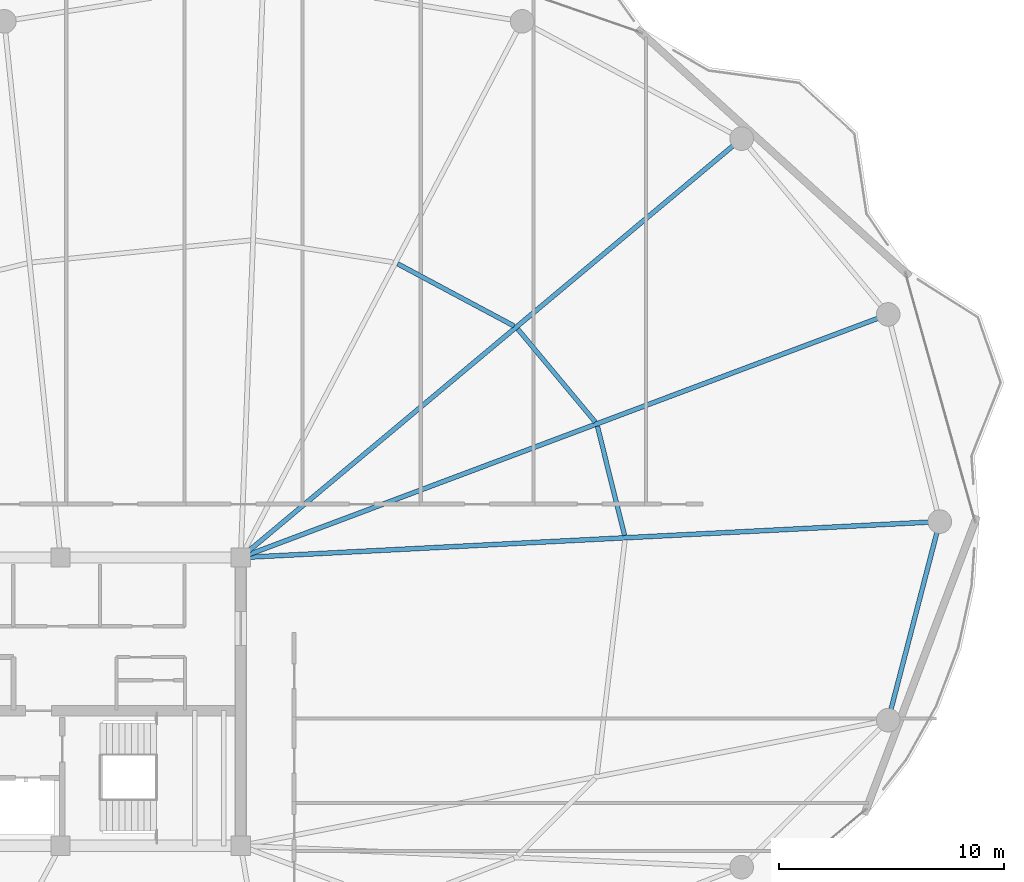
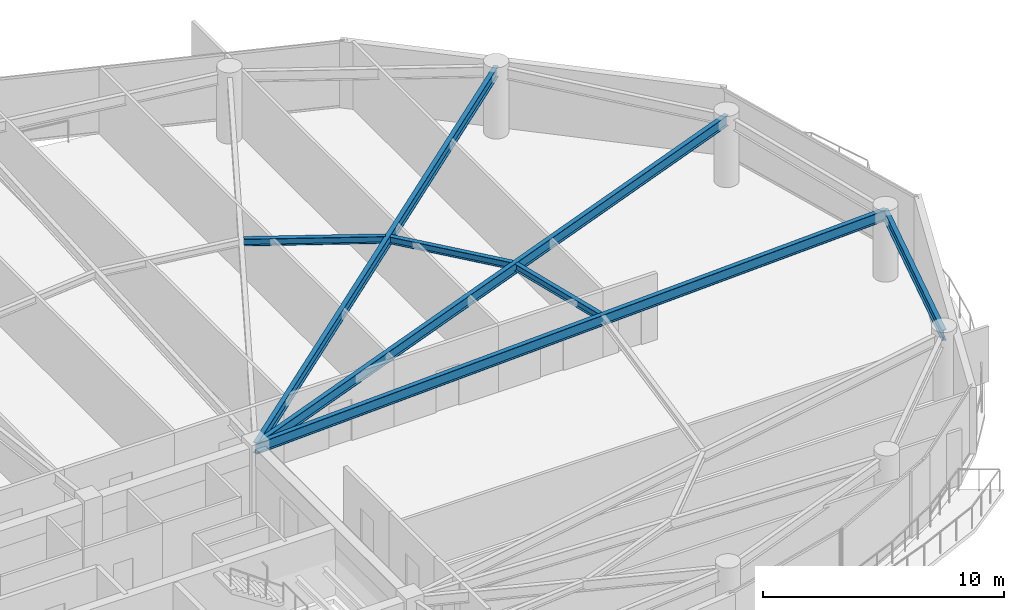
# One storey, part 14 of 29: 7 beams.
"""IFC4 building model written with IfcOpenShell, lengths in metres."""

from ifc_helpers import new_model, si_unit, direction, frame, origin, origin_2d, place, context, subcontext, project, spatial, i_section, extrude, material, material_profile, profile_set, type_object, element, save


model = new_model("IFC4")

# Units and contexts
model_context = context("Model", 3, precision=1e-05, world=origin(), true_north=direction((0.0, 1.0)))
body_context = subcontext(model_context, "Body", "Model", "MODEL_VIEW")
ifc_project = project(units=[si_unit("LENGTHUNIT", "METRE"), si_unit("AREAUNIT", "SQUARE_METRE"), si_unit("VOLUMEUNIT", "CUBIC_METRE"), si_unit("PLANEANGLEUNIT", "RADIAN"), si_unit("MASSUNIT", "GRAM", prefix="KILO")], contexts=[model_context])

# Site, building, storey
site_placement = place(None, origin())
site = spatial("IfcSite", under=ifc_project, at=site_placement, CompositionType="ELEMENT")
building_placement = place(site_placement, origin())
building = spatial("IfcBuilding", under=site, at=building_placement, Name="Kazevale Care Tower and Concert Hall", CompositionType="ELEMENT")
storey_placement = place(building_placement, frame((0.0, 0.0, 199.199951171875)))
storey = spatial("IfcBuildingStorey", under=building, at=storey_placement, Name="L52", CompositionType="ELEMENT", Elevation=199.199951171875)

# Beams
ifc_material = material(Name="Steel ASTM A572 Gr 50", Category="steel")
ifc_material_profile_1 = material_profile(ifc_material, i_section(OverallWidth=0.2119140625, OverallDepth=0.5439453125, WebThickness=0.01318359375, FlangeThickness=0.021240234375, at=origin_2d()), Name="W530x123")
ifc_profile_set_1 = profile_set([ifc_material_profile_1], Name="Steel ASTM A572 Gr 50")
beam_type_1 = type_object("IfcBeamType", Name="Radial Floor Girder W530x123", PredefinedType="BEAM", material=ifc_profile_set_1)
beam_1_placement = place(storey_placement, frame((44.0, 36.39990234375, 3.088134765625), z_axis=(0.998674821251, 0.051464564506, 0.0), x_axis=(-0.051464564506, 0.998674821251, 0.0)))
element("IfcBeam", 1, at=beam_1_placement, inside=storey, type_object=beam_type_1, Name="beam:L52:rad:01", PredefinedType="BEAM", context=body_context, shape_type="SweptSolid", body=[
    extrude(i_section(OverallWidth=0.2119140625, OverallDepth=0.5439453125, WebThickness=0.01318359375, FlangeThickness=0.021240234375, at=origin_2d()), origin(), (0.0, 0.0, 1.0), 31.09130859375),
])
beam_2_placement = place(storey_placement, frame((44.0, 36.39990234375, 3.088134765625), z_axis=(0.936168070124, 0.351552762015, 0.0), x_axis=(-0.351552762015, 0.936168070124, 0.0)))
element("IfcBeam", 2, at=beam_2_placement, inside=storey, type_object=beam_type_1, Name="beam:L52:rad:02", PredefinedType="BEAM", context=body_context, shape_type="SweptSolid", body=[
    extrude(i_section(OverallWidth=0.2119140625, OverallDepth=0.5439453125, WebThickness=0.01318359375, FlangeThickness=0.021240234375, at=origin_2d()), origin(), (0.0, 0.0, 1.0), 30.720947265625),
])
beam_3_placement = place(storey_placement, frame((44.0, 36.39990234375, 3.088134765625), z_axis=(0.767059624015, 0.64157582031, 0.0), x_axis=(-0.64157582031, 0.767059624015, 0.0)))
element("IfcBeam", 3, at=beam_3_placement, inside=storey, type_object=beam_type_1, Name="beam:L52:rad:03", PredefinedType="BEAM", context=body_context, shape_type="SweptSolid", body=[
    extrude(i_section(OverallWidth=0.2119140625, OverallDepth=0.5439453125, WebThickness=0.01318359375, FlangeThickness=0.021240234375, at=origin_2d()), origin(), (0.0, 0.0, 1.0), 29.0068359375),
])
ifc_material_profile_2 = material_profile(ifc_material, i_section(OverallWidth=0.205078125, OverallDepth=0.35400390625, WebThickness=0.009521484375, FlangeThickness=0.016845703125, at=origin_2d()), Name="W360x79")
ifc_profile_set_2 = profile_set([ifc_material_profile_2], Name="Steel ASTM A572 Gr 50")
beam_type_2 = type_object("IfcBeamType", Name="Secondary Floor Joist W360x79", PredefinedType="JOIST", material=ifc_profile_set_2)
beam_4_placement = place(storey_placement, frame((61.052001953125, 37.382080078125, 3.18310546875), z_axis=(-0.241594204931, 0.970377369967, 0.0), x_axis=(-0.970377369967, -0.241594204931, 0.0)))
element("IfcBeam", 4, at=beam_4_placement, inside=storey, type_object=beam_type_2, Name="beam:L52:joist:01", PredefinedType="JOIST", context=body_context, shape_type="SweptSolid", body=[
    extrude(i_section(OverallWidth=0.205078125, OverallDepth=0.35400390625, WebThickness=0.009521484375, FlangeThickness=0.016845703125, at=origin_2d()), origin(), (0.0, 0.0, 1.0), 5.004150390625),
])
beam_5_placement = place(storey_placement, frame((59.7509765625, 42.4208984375, 3.18310546875), z_axis=(-0.640295940788, 0.768128314939, 0.0), x_axis=(-0.768128314939, -0.640295940788, 0.0)))
element("IfcBeam", 5, at=beam_5_placement, inside=storey, type_object=beam_type_2, Name="beam:L52:joist:02", PredefinedType="JOIST", context=body_context, shape_type="SweptSolid", body=[
    extrude(i_section(OverallWidth=0.205078125, OverallDepth=0.35400390625, WebThickness=0.009521484375, FlangeThickness=0.016845703125, at=origin_2d()), origin(), (0.0, 0.0, 1.0), 5.3818359375),
])
beam_6_placement = place(storey_placement, frame((56.14501953125, 46.68505859375, 3.18310546875), z_axis=(-0.881943890935, 0.471354403016, 0.0), x_axis=(-0.471354403016, -0.881943890935, 0.0)))
element("IfcBeam", 6, at=beam_6_placement, inside=storey, type_object=beam_type_2, Name="beam:L52:joist:03", PredefinedType="JOIST", context=body_context, shape_type="SweptSolid", body=[
    extrude(i_section(OverallWidth=0.205078125, OverallDepth=0.35400390625, WebThickness=0.009521484375, FlangeThickness=0.016845703125, at=origin_2d()), origin(), (0.0, 0.0, 1.0), 5.869873046875),
])
ifc_material_profile_3 = material_profile(ifc_material, i_section(OverallWidth=0.208984375, OverallDepth=0.532958984375, WebThickness=0.01025390625, FlangeThickness=0.015625, at=origin_2d()), Name="W530x92")
ifc_profile_set_3 = profile_set([ifc_material_profile_3], Name="Steel ASTM A572 Gr 50")
beam_type_3 = type_object("IfcBeamType", Name="Upper Ring Beam W530x92", PredefinedType="BEAM", material=ifc_profile_set_3)
beam_7_placement = place(storey_placement, frame((72.760009765625, 29.179931640625, 3.093505859375), z_axis=(0.251307095899, 0.96790740443, 0.0), x_axis=(-0.96790740443, 0.251307095899, 0.0)))
element("IfcBeam", 7, at=beam_7_placement, inside=storey, type_object=beam_type_3, Name="beam:L52:ring:16", PredefinedType="BEAM", context=body_context, shape_type="SweptSolid", body=[
    extrude(i_section(OverallWidth=0.208984375, OverallDepth=0.532958984375, WebThickness=0.01025390625, FlangeThickness=0.015625, at=origin_2d()), origin(), (0.0, 0.0, 1.0), 9.112548828125),
])

save(model, "model.ifc")
